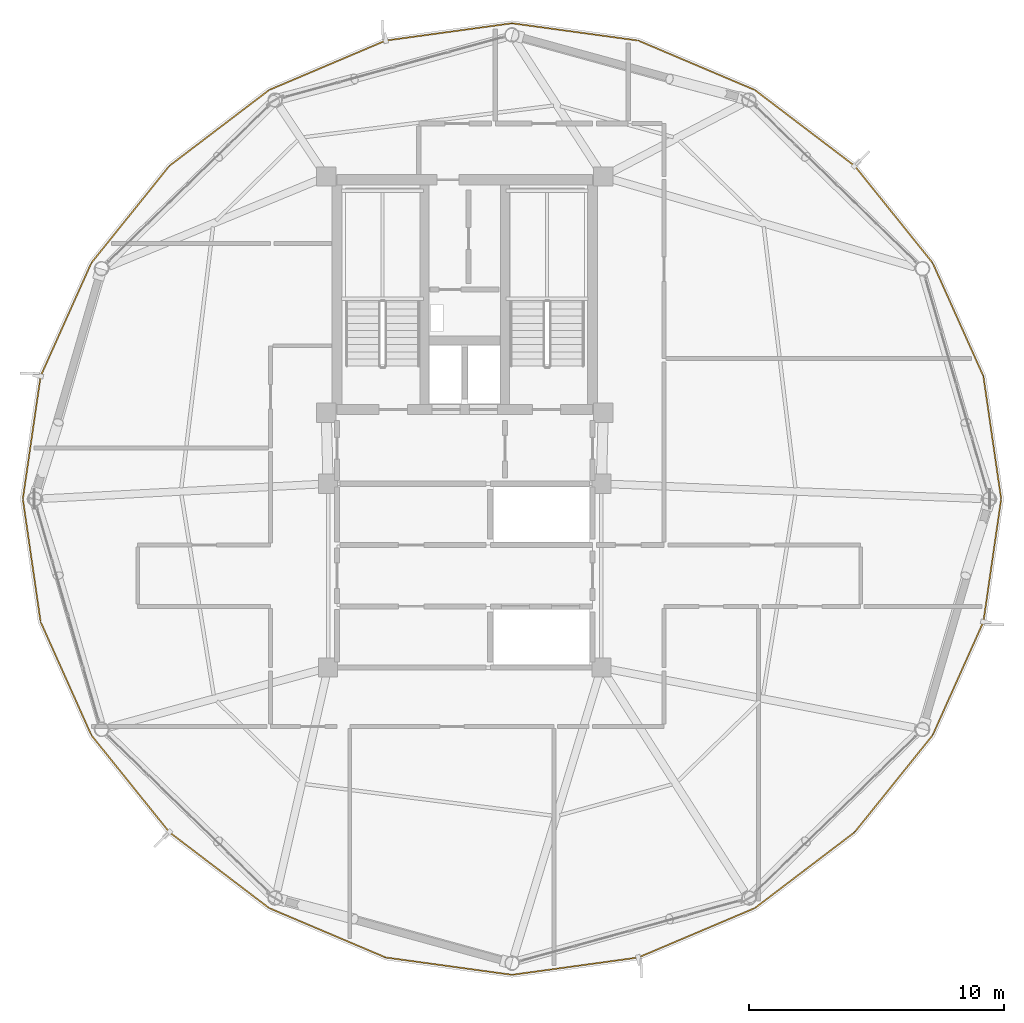
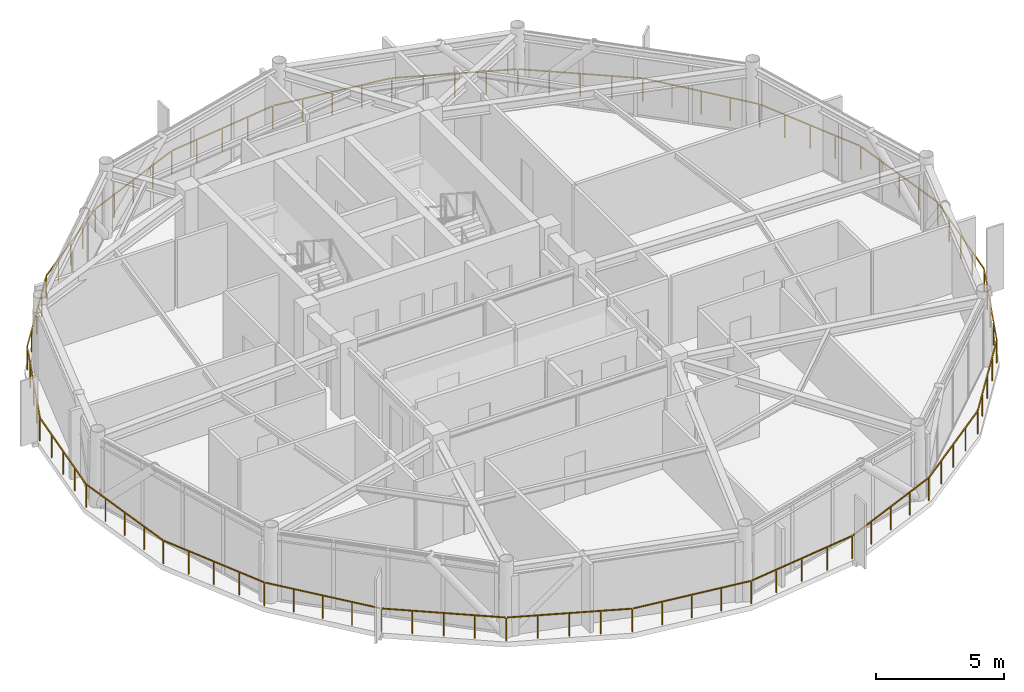
# One storey, part 27 of 28: 1 railing.
"""IFC4 building model written with IfcOpenShell, lengths in metres."""

from ifc_helpers import new_model, si_unit, direction, frame, origin, origin_2d, place, context, subcontext, project, spatial, rectangle, extrude, material, type_object, element, save


model = new_model("IFC4")

# Units and contexts
model_context = context("Model", 3, precision=1e-05, world=origin(), true_north=direction((0.0, 1.0)))
body_context = subcontext(model_context, "Body", "Model", "MODEL_VIEW")
ifc_project = project(units=[si_unit("LENGTHUNIT", "METRE"), si_unit("AREAUNIT", "SQUARE_METRE"), si_unit("VOLUMEUNIT", "CUBIC_METRE"), si_unit("PLANEANGLEUNIT", "RADIAN"), si_unit("MASSUNIT", "GRAM", prefix="KILO")], contexts=[model_context])

# Site, building, storey
site_placement = place(None, origin())
site = spatial("IfcSite", under=ifc_project, at=site_placement, CompositionType="ELEMENT")
building_placement = place(site_placement, origin())
building = spatial("IfcBuilding", under=site, at=building_placement, Name="Varnakorn Sky Granary", CompositionType="ELEMENT")
storey_placement = place(building_placement, frame((0.0, 0.0, 236.39990234375)))
storey = spatial("IfcBuildingStorey", under=building, at=storey_placement, Name="L60", CompositionType="ELEMENT", Elevation=236.39990234375)

# Railing
ifc_material = material(Name="Anodised Bronze Aluminium Alloy 6063-T6", Category="aluminium")
railing_type = type_object("IfcRailingType", Name="RL-BAL-1120", PredefinedType="BALUSTRADE", material=ifc_material)
railing_placement = place(storey_placement, frame((23.9970703125, 0.0, 0.0)))
element("IfcRailing", 1, at=railing_placement, inside=storey, type_object=railing_type, Name="Perimeter Slab-Edge Safety Guard L60", PredefinedType="BALUSTRADE", context=body_context, shape_type="SweptSolid", body=[
    extrude(rectangle(XDim=0.048095703125, YDim=0.048095703125, at=origin_2d()), frame((-0.00390625, -0.02783203125, 1.09619140625), z_axis=(-0.143173603682, -0.989697589776, 0.0), x_axis=(0.989697589776, -0.143173603682, 0.0)), (0.0, 0.0, 1.0), 4.800537109375),
    extrude(rectangle(XDim=0.048095703125, YDim=0.048095703125, at=origin_2d()), frame((-0.706787109375, -4.83203125, 1.09619140625), z_axis=(-0.40854230876, -0.912739383369, 0.0), x_axis=(0.912739383369, -0.40854230876, 0.0)), (0.0, 0.0, 1.0), 4.8037109375),
    extrude(rectangle(XDim=0.048095703125, YDim=0.048095703125, at=origin_2d()), frame((-2.6982421875, -9.263671875, 1.09619140625), z_axis=(-0.626574810703, -0.779361281174, 0.0), x_axis=(0.779361281174, -0.626574810703, 0.0)), (0.0, 0.0, 1.0), 4.817626953125),
    extrude(rectangle(XDim=0.048095703125, YDim=0.048095703125, at=origin_2d()), frame((-5.756591796875, -13.05712890625, 1.09619140625), z_axis=(-0.795982913892, -0.605319090061, 0.0), x_axis=(0.605319090061, -0.795982913892, 0.0)), (0.0, 0.0, 1.0), 4.85205078125),
    extrude(rectangle(XDim=0.048095703125, YDim=0.048095703125, at=origin_2d()), frame((-9.6669921875, -16.022216796875, 1.09619140625), z_axis=(-0.920699820679, -0.390271495501, 0.0), x_axis=(0.390271495501, -0.920699820679, 0.0)), (0.0, 0.0, 1.0), 4.899658203125),
    extrude(rectangle(XDim=0.048095703125, YDim=0.048095703125, at=origin_2d()), frame((-14.231689453125, -17.94921875, 1.09619140625), z_axis=(-0.990731345144, -0.135835936885, 0.0), x_axis=(0.135835936885, -0.990731345144, 0.0)), (0.0, 0.0, 1.0), 4.933349609375),
    extrude(rectangle(XDim=0.048095703125, YDim=0.048095703125, at=origin_2d()), frame((-19.1748046875, -18.619140625, 1.09619140625), z_axis=(-0.990732247947, 0.13582935205, 0.0), x_axis=(-0.13582935205, -0.990732247947, 0.0)), (0.0, 0.0, 1.0), 4.93359375),
    extrude(rectangle(XDim=0.048095703125, YDim=0.048095703125, at=origin_2d()), frame((-24.1162109375, -17.934326171875, 1.09619140625), z_axis=(-0.920699820679, 0.390271495501, 0.0), x_axis=(-0.390271495501, -0.920699820679, 0.0)), (0.0, 0.0, 1.0), 4.899658203125),
    extrude(rectangle(XDim=0.048095703125, YDim=0.048095703125, at=origin_2d()), frame((-28.67529296875, -15.994384765625, 1.09619140625), z_axis=(-0.795982913892, 0.605319090061, 0.0), x_axis=(-0.605319090061, -0.795982913892, 0.0)), (0.0, 0.0, 1.0), 4.85205078125),
    extrude(rectangle(XDim=0.048095703125, YDim=0.048095703125, at=origin_2d()), frame((-32.577392578125, -13.0185546875, 1.09619140625), z_axis=(-0.62654438202, 0.779385743621, 0.0), x_axis=(-0.779385743621, -0.62654438202, 0.0)), (0.0, 0.0, 1.0), 4.8173828125),
    extrude(rectangle(XDim=0.048095703125, YDim=0.048095703125, at=origin_2d()), frame((-35.624755859375, -9.21630859375, 1.09619140625), z_axis=(-0.408584161113, 0.912720649097, 0.0), x_axis=(-0.912720649097, -0.408584161113, 0.0)), (0.0, 0.0, 1.0), 4.8037109375),
    extrude(rectangle(XDim=0.048095703125, YDim=0.048095703125, at=origin_2d()), frame((-37.602783203125, -4.778564453125, 1.09619140625), z_axis=(-0.143173603682, 0.989697589776, 0.0), x_axis=(-0.989697589776, -0.143173603682, 0.0)), (0.0, 0.0, 1.0), 4.800537109375),
    extrude(rectangle(XDim=0.048095703125, YDim=0.048095703125, at=origin_2d()), frame((-38.290283203125, 0.02783203125, 1.09619140625), z_axis=(0.143173603682, 0.989697589776, 0.0), x_axis=(-0.989697589776, 0.143173603682, 0.0)), (0.0, 0.0, 1.0), 4.800537109375),
    extrude(rectangle(XDim=0.048095703125, YDim=0.048095703125, at=origin_2d()), frame((-37.58740234375, 4.83203125, 1.09619140625), z_axis=(0.408584161113, 0.912720649097, 0.0), x_axis=(-0.912720649097, 0.408584161113, 0.0)), (0.0, 0.0, 1.0), 4.8037109375),
    extrude(rectangle(XDim=0.048095703125, YDim=0.048095703125, at=origin_2d()), frame((-35.595703125, 9.263671875, 1.09619140625), z_axis=(0.62654438202, 0.779385743621, 0.0), x_axis=(-0.779385743621, 0.62654438202, 0.0)), (0.0, 0.0, 1.0), 4.8173828125),
    extrude(rectangle(XDim=0.048095703125, YDim=0.048095703125, at=origin_2d()), frame((-32.53759765625, 13.05712890625, 1.09619140625), z_axis=(0.795982913892, 0.605319090061, 0.0), x_axis=(-0.605319090061, 0.795982913892, 0.0)), (0.0, 0.0, 1.0), 4.85205078125),
    extrude(rectangle(XDim=0.048095703125, YDim=0.048095703125, at=origin_2d()), frame((-28.627197265625, 16.022216796875, 1.09619140625), z_axis=(0.920699820679, 0.390271495501, 0.0), x_axis=(-0.390271495501, 0.920699820679, 0.0)), (0.0, 0.0, 1.0), 4.899658203125),
    extrude(rectangle(XDim=0.048095703125, YDim=0.048095703125, at=origin_2d()), frame((-24.0625, 17.94921875, 1.09619140625), z_axis=(0.990732247947, 0.13582935205, 0.0), x_axis=(-0.13582935205, 0.990732247947, 0.0)), (0.0, 0.0, 1.0), 4.93359375),
    extrude(rectangle(XDim=0.048095703125, YDim=0.048095703125, at=origin_2d()), frame((-19.119140625, 18.619140625, 1.09619140625), z_axis=(0.990731345144, -0.135835936885, 0.0), x_axis=(0.135835936885, 0.990731345144, 0.0)), (0.0, 0.0, 1.0), 4.933349609375),
    extrude(rectangle(XDim=0.048095703125, YDim=0.048095703125, at=origin_2d()), frame((-14.177978515625, 17.934326171875, 1.09619140625), z_axis=(0.920699820679, -0.390271495501, 0.0), x_axis=(0.390271495501, 0.920699820679, 0.0)), (0.0, 0.0, 1.0), 4.899658203125),
    extrude(rectangle(XDim=0.048095703125, YDim=0.048095703125, at=origin_2d()), frame((-9.618896484375, 15.994384765625, 1.09619140625), z_axis=(0.795982913892, -0.605319090061, 0.0), x_axis=(0.605319090061, 0.795982913892, 0.0)), (0.0, 0.0, 1.0), 4.85205078125),
    extrude(rectangle(XDim=0.048095703125, YDim=0.048095703125, at=origin_2d()), frame((-5.716796875, 13.0185546875, 1.09619140625), z_axis=(0.626574810703, -0.779361281174, 0.0), x_axis=(0.779361281174, 0.626574810703, 0.0)), (0.0, 0.0, 1.0), 4.817626953125),
    extrude(rectangle(XDim=0.048095703125, YDim=0.048095703125, at=origin_2d()), frame((-2.669189453125, 9.21630859375, 1.09619140625), z_axis=(0.40854230876, -0.912739383369, 0.0), x_axis=(0.912739383369, 0.40854230876, 0.0)), (0.0, 0.0, 1.0), 4.8037109375),
    extrude(rectangle(XDim=0.048095703125, YDim=0.048095703125, at=origin_2d()), frame((-0.69140625, 4.778564453125, 1.09619140625), z_axis=(0.143173603682, -0.989697589776, 0.0), x_axis=(0.989697589776, 0.143173603682, 0.0)), (0.0, 0.0, 1.0), 4.800537109375),
    extrude(rectangle(XDim=0.0419921875, YDim=0.0419921875, at=origin_2d()), origin(), (0.0, 0.0, 1.0), 1.068115234375),
    extrude(rectangle(XDim=0.0419921875, YDim=0.0419921875, at=origin_2d()), frame((-0.173828125, -1.20166015625, 0.0)), (0.0, 0.0, 1.0), 1.068115234375),
    extrude(rectangle(XDim=0.0419921875, YDim=0.0419921875, at=origin_2d()), frame((-0.34765625, -2.4033203125, 0.0)), (0.0, 0.0, 1.0), 1.068115234375),
    extrude(rectangle(XDim=0.0419921875, YDim=0.0419921875, at=origin_2d()), frame((-0.521484375, -3.604736328125, 0.0)), (0.0, 0.0, 1.0), 1.068115234375),
    extrude(rectangle(XDim=0.0419921875, YDim=0.0419921875, at=origin_2d()), frame((-0.6953125, -4.806396484375, 0.0)), (0.0, 0.0, 1.0), 1.068115234375),
    extrude(rectangle(XDim=0.0419921875, YDim=0.0419921875, at=origin_2d()), frame((-1.191650390625, -5.915283203125, 0.0)), (0.0, 0.0, 1.0), 1.068115234375),
    extrude(rectangle(XDim=0.0419921875, YDim=0.0419921875, at=origin_2d()), frame((-1.68798828125, -7.024169921875, 0.0)), (0.0, 0.0, 1.0), 1.068115234375),
    extrude(rectangle(XDim=0.0419921875, YDim=0.0419921875, at=origin_2d()), frame((-2.184326171875, -8.133056640625, 0.0)), (0.0, 0.0, 1.0), 1.068115234375),
    extrude(rectangle(XDim=0.0419921875, YDim=0.0419921875, at=origin_2d()), frame((-2.6806640625, -9.241943359375, 0.0)), (0.0, 0.0, 1.0), 1.068115234375),
    extrude(rectangle(XDim=0.0419921875, YDim=0.0419921875, at=origin_2d()), frame((-3.444091796875, -10.19140625, 0.0)), (0.0, 0.0, 1.0), 1.068115234375),
    extrude(rectangle(XDim=0.0419921875, YDim=0.0419921875, at=origin_2d()), frame((-4.20751953125, -11.14111328125, 0.0)), (0.0, 0.0, 1.0), 1.068115234375),
    extrude(rectangle(XDim=0.0419921875, YDim=0.0419921875, at=origin_2d()), frame((-4.970947265625, -12.0908203125, 0.0)), (0.0, 0.0, 1.0), 1.068115234375),
    extrude(rectangle(XDim=0.0419921875, YDim=0.0419921875, at=origin_2d()), frame((-5.734375, -13.040283203125, 0.0)), (0.0, 0.0, 1.0), 1.068115234375),
    extrude(rectangle(XDim=0.0419921875, YDim=0.0419921875, at=origin_2d()), frame((-6.7109375, -13.782958984375, 0.0)), (0.0, 0.0, 1.0), 1.068115234375),
    extrude(rectangle(XDim=0.0419921875, YDim=0.0419921875, at=origin_2d()), frame((-7.687744140625, -14.52587890625, 0.0)), (0.0, 0.0, 1.0), 1.068115234375),
    extrude(rectangle(XDim=0.0419921875, YDim=0.0419921875, at=origin_2d()), frame((-8.66455078125, -15.2685546875, 0.0)), (0.0, 0.0, 1.0), 1.068115234375),
    extrude(rectangle(XDim=0.0419921875, YDim=0.0419921875, at=origin_2d()), frame((-9.64111328125, -16.01123046875, 0.0)), (0.0, 0.0, 1.0), 1.068115234375),
    extrude(rectangle(XDim=0.0419921875, YDim=0.0419921875, at=origin_2d()), frame((-10.78173828125, -16.49462890625, 0.0)), (0.0, 0.0, 1.0), 1.068115234375),
    extrude(rectangle(XDim=0.0419921875, YDim=0.0419921875, at=origin_2d()), frame((-11.92236328125, -16.978271484375, 0.0)), (0.0, 0.0, 1.0), 1.068115234375),
    extrude(rectangle(XDim=0.0419921875, YDim=0.0419921875, at=origin_2d()), frame((-13.063232421875, -17.4619140625, 0.0)), (0.0, 0.0, 1.0), 1.068115234375),
    extrude(rectangle(XDim=0.0419921875, YDim=0.0419921875, at=origin_2d()), frame((-14.203857421875, -17.9453125, 0.0)), (0.0, 0.0, 1.0), 1.068115234375),
    extrude(rectangle(XDim=0.0419921875, YDim=0.0419921875, at=origin_2d()), frame((-15.439697265625, -18.11474609375, 0.0)), (0.0, 0.0, 1.0), 1.068115234375),
    extrude(rectangle(XDim=0.0419921875, YDim=0.0419921875, at=origin_2d()), frame((-16.67529296875, -18.2841796875, 0.0)), (0.0, 0.0, 1.0), 1.068115234375),
    extrude(rectangle(XDim=0.0419921875, YDim=0.0419921875, at=origin_2d()), frame((-17.9111328125, -18.45361328125, 0.0)), (0.0, 0.0, 1.0), 1.068115234375),
    extrude(rectangle(XDim=0.0419921875, YDim=0.0419921875, at=origin_2d()), frame((-19.14697265625, -18.623046875, 0.0)), (0.0, 0.0, 1.0), 1.068115234375),
    extrude(rectangle(XDim=0.0419921875, YDim=0.0419921875, at=origin_2d()), frame((-20.3828125, -18.45361328125, 0.0)), (0.0, 0.0, 1.0), 1.068115234375),
    extrude(rectangle(XDim=0.0419921875, YDim=0.0419921875, at=origin_2d()), frame((-21.61865234375, -18.2841796875, 0.0)), (0.0, 0.0, 1.0), 1.068115234375),
    extrude(rectangle(XDim=0.0419921875, YDim=0.0419921875, at=origin_2d()), frame((-22.8544921875, -18.11474609375, 0.0)), (0.0, 0.0, 1.0), 1.068115234375),
    extrude(rectangle(XDim=0.0419921875, YDim=0.0419921875, at=origin_2d()), frame((-24.09033203125, -17.9453125, 0.0)), (0.0, 0.0, 1.0), 1.068115234375),
    extrude(rectangle(XDim=0.0419921875, YDim=0.0419921875, at=origin_2d()), frame((-25.23095703125, -17.4619140625, 0.0)), (0.0, 0.0, 1.0), 1.068115234375),
    extrude(rectangle(XDim=0.0419921875, YDim=0.0419921875, at=origin_2d()), frame((-26.37158203125, -16.978271484375, 0.0)), (0.0, 0.0, 1.0), 1.068115234375),
    extrude(rectangle(XDim=0.0419921875, YDim=0.0419921875, at=origin_2d()), frame((-27.512451171875, -16.49462890625, 0.0)), (0.0, 0.0, 1.0), 1.068115234375),
    extrude(rectangle(XDim=0.0419921875, YDim=0.0419921875, at=origin_2d()), frame((-28.653076171875, -16.01123046875, 0.0)), (0.0, 0.0, 1.0), 1.068115234375),
    extrude(rectangle(XDim=0.0419921875, YDim=0.0419921875, at=origin_2d()), frame((-29.6298828125, -15.2685546875, 0.0)), (0.0, 0.0, 1.0), 1.068115234375),
    extrude(rectangle(XDim=0.0419921875, YDim=0.0419921875, at=origin_2d()), frame((-30.6064453125, -14.52587890625, 0.0)), (0.0, 0.0, 1.0), 1.068115234375),
    extrude(rectangle(XDim=0.0419921875, YDim=0.0419921875, at=origin_2d()), frame((-31.5830078125, -13.782958984375, 0.0)), (0.0, 0.0, 1.0), 1.068115234375),
    extrude(rectangle(XDim=0.0419921875, YDim=0.0419921875, at=origin_2d()), frame((-32.559814453125, -13.040283203125, 0.0)), (0.0, 0.0, 1.0), 1.068115234375),
    extrude(rectangle(XDim=0.0419921875, YDim=0.0419921875, at=origin_2d()), frame((-33.3232421875, -12.0908203125, 0.0)), (0.0, 0.0, 1.0), 1.068115234375),
    extrude(rectangle(XDim=0.0419921875, YDim=0.0419921875, at=origin_2d()), frame((-34.08642578125, -11.14111328125, 0.0)), (0.0, 0.0, 1.0), 1.068115234375),
    extrude(rectangle(XDim=0.0419921875, YDim=0.0419921875, at=origin_2d()), frame((-34.849853515625, -10.19140625, 0.0)), (0.0, 0.0, 1.0), 1.068115234375),
    extrude(rectangle(XDim=0.0419921875, YDim=0.0419921875, at=origin_2d()), frame((-35.61328125, -9.241943359375, 0.0)), (0.0, 0.0, 1.0), 1.068115234375),
    extrude(rectangle(XDim=0.0419921875, YDim=0.0419921875, at=origin_2d()), frame((-36.109619140625, -8.133056640625, 0.0)), (0.0, 0.0, 1.0), 1.068115234375),
    extrude(rectangle(XDim=0.0419921875, YDim=0.0419921875, at=origin_2d()), frame((-36.60595703125, -7.024169921875, 0.0)), (0.0, 0.0, 1.0), 1.068115234375),
    extrude(rectangle(XDim=0.0419921875, YDim=0.0419921875, at=origin_2d()), frame((-37.1025390625, -5.915283203125, 0.0)), (0.0, 0.0, 1.0), 1.068115234375),
    extrude(rectangle(XDim=0.0419921875, YDim=0.0419921875, at=origin_2d()), frame((-37.598876953125, -4.806396484375, 0.0)), (0.0, 0.0, 1.0), 1.068115234375),
    extrude(rectangle(XDim=0.0419921875, YDim=0.0419921875, at=origin_2d()), frame((-37.772705078125, -3.604736328125, 0.0)), (0.0, 0.0, 1.0), 1.068115234375),
    extrude(rectangle(XDim=0.0419921875, YDim=0.0419921875, at=origin_2d()), frame((-37.946533203125, -2.4033203125, 0.0)), (0.0, 0.0, 1.0), 1.068115234375),
    extrude(rectangle(XDim=0.0419921875, YDim=0.0419921875, at=origin_2d()), frame((-38.120361328125, -1.20166015625, 0.0)), (0.0, 0.0, 1.0), 1.068115234375),
    extrude(rectangle(XDim=0.0419921875, YDim=0.0419921875, at=origin_2d()), frame((-38.294189453125, 0.0, 0.0)), (0.0, 0.0, 1.0), 1.068115234375),
    extrude(rectangle(XDim=0.0419921875, YDim=0.0419921875, at=origin_2d()), frame((-38.120361328125, 1.20166015625, 0.0)), (0.0, 0.0, 1.0), 1.068115234375),
    extrude(rectangle(XDim=0.0419921875, YDim=0.0419921875, at=origin_2d()), frame((-37.946533203125, 2.4033203125, 0.0)), (0.0, 0.0, 1.0), 1.068115234375),
    extrude(rectangle(XDim=0.0419921875, YDim=0.0419921875, at=origin_2d()), frame((-37.772705078125, 3.604736328125, 0.0)), (0.0, 0.0, 1.0), 1.068115234375),
    extrude(rectangle(XDim=0.0419921875, YDim=0.0419921875, at=origin_2d()), frame((-37.598876953125, 4.806396484375, 0.0)), (0.0, 0.0, 1.0), 1.068115234375),
    extrude(rectangle(XDim=0.0419921875, YDim=0.0419921875, at=origin_2d()), frame((-37.1025390625, 5.915283203125, 0.0)), (0.0, 0.0, 1.0), 1.068115234375),
    extrude(rectangle(XDim=0.0419921875, YDim=0.0419921875, at=origin_2d()), frame((-36.60595703125, 7.024169921875, 0.0)), (0.0, 0.0, 1.0), 1.068115234375),
    extrude(rectangle(XDim=0.0419921875, YDim=0.0419921875, at=origin_2d()), frame((-36.109619140625, 8.133056640625, 0.0)), (0.0, 0.0, 1.0), 1.068115234375),
    extrude(rectangle(XDim=0.0419921875, YDim=0.0419921875, at=origin_2d()), frame((-35.61328125, 9.241943359375, 0.0)), (0.0, 0.0, 1.0), 1.068115234375),
    extrude(rectangle(XDim=0.0419921875, YDim=0.0419921875, at=origin_2d()), frame((-34.849853515625, 10.19140625, 0.0)), (0.0, 0.0, 1.0), 1.068115234375),
    extrude(rectangle(XDim=0.0419921875, YDim=0.0419921875, at=origin_2d()), frame((-34.08642578125, 11.14111328125, 0.0)), (0.0, 0.0, 1.0), 1.068115234375),
    extrude(rectangle(XDim=0.0419921875, YDim=0.0419921875, at=origin_2d()), frame((-33.3232421875, 12.0908203125, 0.0)), (0.0, 0.0, 1.0), 1.068115234375),
    extrude(rectangle(XDim=0.0419921875, YDim=0.0419921875, at=origin_2d()), frame((-32.559814453125, 13.040283203125, 0.0)), (0.0, 0.0, 1.0), 1.068115234375),
    extrude(rectangle(XDim=0.0419921875, YDim=0.0419921875, at=origin_2d()), frame((-31.5830078125, 13.782958984375, 0.0)), (0.0, 0.0, 1.0), 1.068115234375),
    extrude(rectangle(XDim=0.0419921875, YDim=0.0419921875, at=origin_2d()), frame((-30.6064453125, 14.52587890625, 0.0)), (0.0, 0.0, 1.0), 1.068115234375),
    extrude(rectangle(XDim=0.0419921875, YDim=0.0419921875, at=origin_2d()), frame((-29.6298828125, 15.2685546875, 0.0)), (0.0, 0.0, 1.0), 1.068115234375),
    extrude(rectangle(XDim=0.0419921875, YDim=0.0419921875, at=origin_2d()), frame((-28.653076171875, 16.01123046875, 0.0)), (0.0, 0.0, 1.0), 1.068115234375),
    extrude(rectangle(XDim=0.0419921875, YDim=0.0419921875, at=origin_2d()), frame((-27.512451171875, 16.49462890625, 0.0)), (0.0, 0.0, 1.0), 1.068115234375),
    extrude(rectangle(XDim=0.0419921875, YDim=0.0419921875, at=origin_2d()), frame((-26.37158203125, 16.978271484375, 0.0)), (0.0, 0.0, 1.0), 1.068115234375),
    extrude(rectangle(XDim=0.0419921875, YDim=0.0419921875, at=origin_2d()), frame((-25.23095703125, 17.4619140625, 0.0)), (0.0, 0.0, 1.0), 1.068115234375),
    extrude(rectangle(XDim=0.0419921875, YDim=0.0419921875, at=origin_2d()), frame((-24.09033203125, 17.9453125, 0.0)), (0.0, 0.0, 1.0), 1.068115234375),
    extrude(rectangle(XDim=0.0419921875, YDim=0.0419921875, at=origin_2d()), frame((-22.8544921875, 18.11474609375, 0.0)), (0.0, 0.0, 1.0), 1.068115234375),
    extrude(rectangle(XDim=0.0419921875, YDim=0.0419921875, at=origin_2d()), frame((-21.61865234375, 18.2841796875, 0.0)), (0.0, 0.0, 1.0), 1.068115234375),
    extrude(rectangle(XDim=0.0419921875, YDim=0.0419921875, at=origin_2d()), frame((-20.3828125, 18.45361328125, 0.0)), (0.0, 0.0, 1.0), 1.068115234375),
    extrude(rectangle(XDim=0.0419921875, YDim=0.0419921875, at=origin_2d()), frame((-19.14697265625, 18.623046875, 0.0)), (0.0, 0.0, 1.0), 1.068115234375),
    extrude(rectangle(XDim=0.0419921875, YDim=0.0419921875, at=origin_2d()), frame((-17.9111328125, 18.45361328125, 0.0)), (0.0, 0.0, 1.0), 1.068115234375),
    extrude(rectangle(XDim=0.0419921875, YDim=0.0419921875, at=origin_2d()), frame((-16.67529296875, 18.2841796875, 0.0)), (0.0, 0.0, 1.0), 1.068115234375),
    extrude(rectangle(XDim=0.0419921875, YDim=0.0419921875, at=origin_2d()), frame((-15.439697265625, 18.11474609375, 0.0)), (0.0, 0.0, 1.0), 1.068115234375),
    extrude(rectangle(XDim=0.0419921875, YDim=0.0419921875, at=origin_2d()), frame((-14.203857421875, 17.9453125, 0.0)), (0.0, 0.0, 1.0), 1.068115234375),
    extrude(rectangle(XDim=0.0419921875, YDim=0.0419921875, at=origin_2d()), frame((-13.063232421875, 17.4619140625, 0.0)), (0.0, 0.0, 1.0), 1.068115234375),
    extrude(rectangle(XDim=0.0419921875, YDim=0.0419921875, at=origin_2d()), frame((-11.92236328125, 16.978271484375, 0.0)), (0.0, 0.0, 1.0), 1.068115234375),
    extrude(rectangle(XDim=0.0419921875, YDim=0.0419921875, at=origin_2d()), frame((-10.78173828125, 16.49462890625, 0.0)), (0.0, 0.0, 1.0), 1.068115234375),
    extrude(rectangle(XDim=0.0419921875, YDim=0.0419921875, at=origin_2d()), frame((-9.64111328125, 16.01123046875, 0.0)), (0.0, 0.0, 1.0), 1.068115234375),
    extrude(rectangle(XDim=0.0419921875, YDim=0.0419921875, at=origin_2d()), frame((-8.66455078125, 15.2685546875, 0.0)), (0.0, 0.0, 1.0), 1.068115234375),
    extrude(rectangle(XDim=0.0419921875, YDim=0.0419921875, at=origin_2d()), frame((-7.687744140625, 14.52587890625, 0.0)), (0.0, 0.0, 1.0), 1.068115234375),
    extrude(rectangle(XDim=0.0419921875, YDim=0.0419921875, at=origin_2d()), frame((-6.7109375, 13.782958984375, 0.0)), (0.0, 0.0, 1.0), 1.068115234375),
    extrude(rectangle(XDim=0.0419921875, YDim=0.0419921875, at=origin_2d()), frame((-5.734375, 13.040283203125, 0.0)), (0.0, 0.0, 1.0), 1.068115234375),
    extrude(rectangle(XDim=0.0419921875, YDim=0.0419921875, at=origin_2d()), frame((-4.970947265625, 12.0908203125, 0.0)), (0.0, 0.0, 1.0), 1.068115234375),
    extrude(rectangle(XDim=0.0419921875, YDim=0.0419921875, at=origin_2d()), frame((-4.20751953125, 11.14111328125, 0.0)), (0.0, 0.0, 1.0), 1.068115234375),
    extrude(rectangle(XDim=0.0419921875, YDim=0.0419921875, at=origin_2d()), frame((-3.444091796875, 10.19140625, 0.0)), (0.0, 0.0, 1.0), 1.068115234375),
    extrude(rectangle(XDim=0.0419921875, YDim=0.0419921875, at=origin_2d()), frame((-2.6806640625, 9.241943359375, 0.0)), (0.0, 0.0, 1.0), 1.068115234375),
    extrude(rectangle(XDim=0.0419921875, YDim=0.0419921875, at=origin_2d()), frame((-2.184326171875, 8.133056640625, 0.0)), (0.0, 0.0, 1.0), 1.068115234375),
    extrude(rectangle(XDim=0.0419921875, YDim=0.0419921875, at=origin_2d()), frame((-1.68798828125, 7.024169921875, 0.0)), (0.0, 0.0, 1.0), 1.068115234375),
    extrude(rectangle(XDim=0.0419921875, YDim=0.0419921875, at=origin_2d()), frame((-1.191650390625, 5.915283203125, 0.0)), (0.0, 0.0, 1.0), 1.068115234375),
    extrude(rectangle(XDim=0.0419921875, YDim=0.0419921875, at=origin_2d()), frame((-0.6953125, 4.806396484375, 0.0)), (0.0, 0.0, 1.0), 1.068115234375),
    extrude(rectangle(XDim=0.0419921875, YDim=0.0419921875, at=origin_2d()), frame((-0.521484375, 3.604736328125, 0.0)), (0.0, 0.0, 1.0), 1.068115234375),
    extrude(rectangle(XDim=0.0419921875, YDim=0.0419921875, at=origin_2d()), frame((-0.34765625, 2.4033203125, 0.0)), (0.0, 0.0, 1.0), 1.068115234375),
    extrude(rectangle(XDim=0.0419921875, YDim=0.0419921875, at=origin_2d()), frame((-0.173828125, 1.20166015625, 0.0)), (0.0, 0.0, 1.0), 1.068115234375),
])

save(model, "model.ifc")
